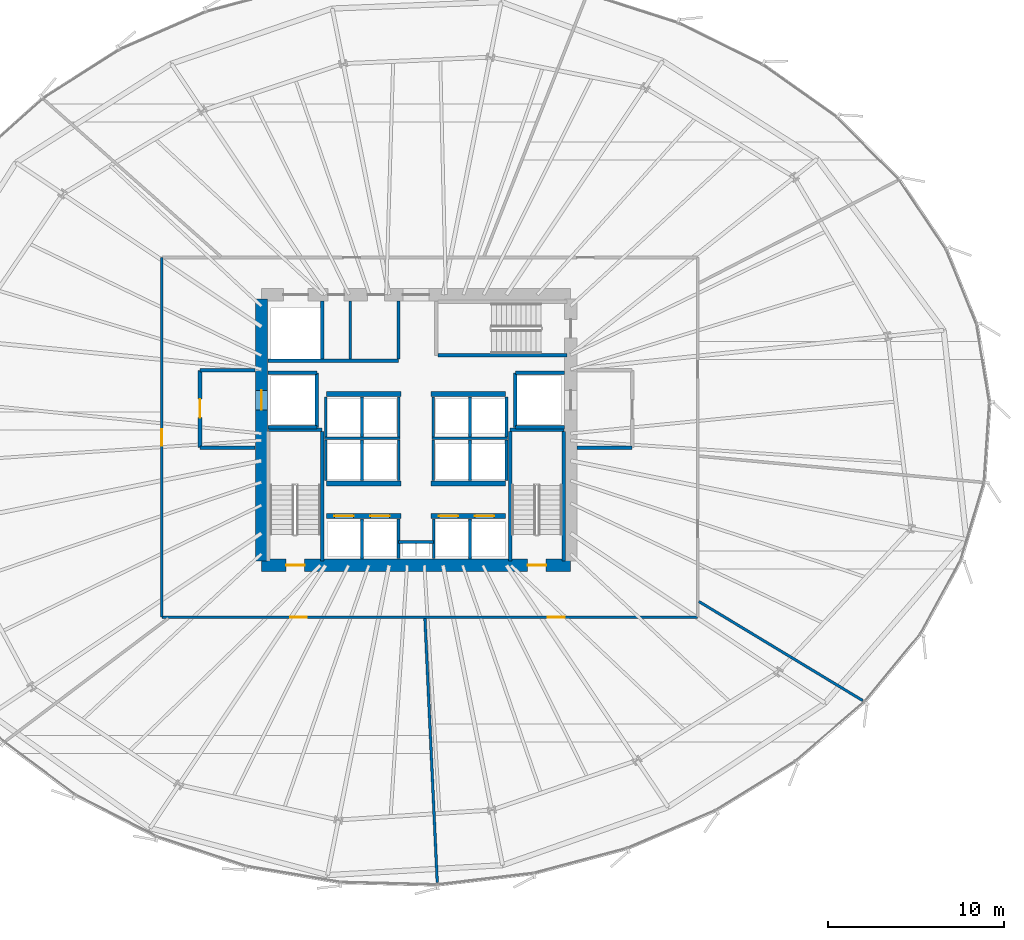
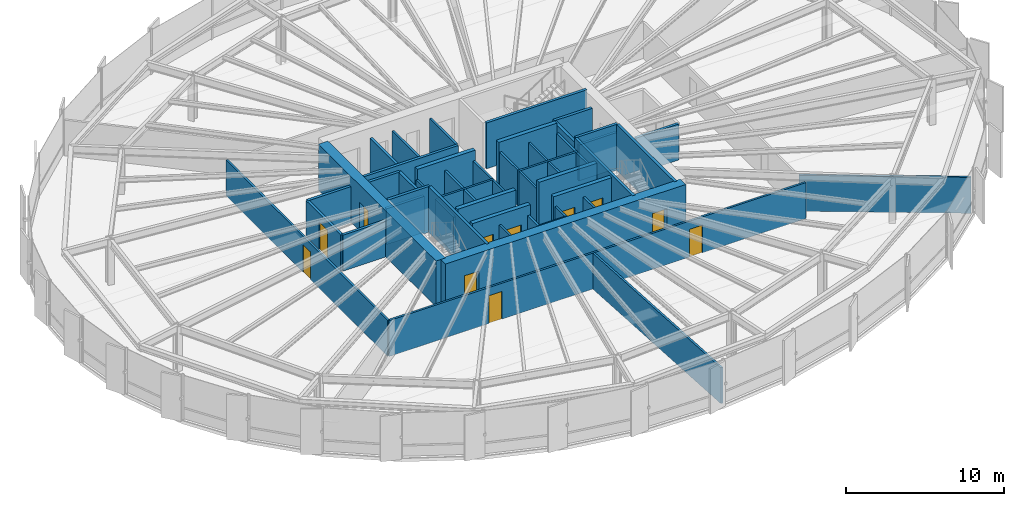
# One storey, part 30 of 39: 51 walls, 11 doors, 11 openings.
"""IFC4 building model written with IfcOpenShell, lengths in metres."""

from ifc_helpers import new_model, si_unit, direction, frame, frame_2d, origin, place, context, subcontext, project, spatial, rectangle, extrude, source, transform, mapped, material, layer, layer_set, type_object, element, fill, save


model = new_model("IFC4")

# Units and contexts
model_context = context("Model", 3, precision=1e-05, world=origin(), true_north=direction((0.0, 1.0)))
body_context = subcontext(model_context, "Body", "Model", "MODEL_VIEW")
ifc_project = project(units=[si_unit("LENGTHUNIT", "METRE"), si_unit("AREAUNIT", "SQUARE_METRE"), si_unit("VOLUMEUNIT", "CUBIC_METRE"), si_unit("PLANEANGLEUNIT", "RADIAN"), si_unit("MASSUNIT", "GRAM", prefix="KILO"), si_unit("THERMODYNAMICTEMPERATUREUNIT", "KELVIN")], contexts=[model_context])

# Site, building, storey
site_placement = place(None, origin())
site = spatial("IfcSite", under=ifc_project, at=site_placement, CompositionType="ELEMENT")
building_placement = place(site_placement, origin())
building = spatial("IfcBuilding", under=site, at=building_placement, Name="Kethvar Cultural Tower", CompositionType="ELEMENT")
storey_placement = place(building_placement, frame((0.0, 0.0, 41.0)))
storey = spatial("IfcBuildingStorey", under=building, at=storey_placement, Name="L09", CompositionType="ELEMENT", Elevation=41.0)

# Wall, openings, doors
ifc_material_1 = material(Name="Concrete C60/75", Category="concrete")
ifc_layer_1 = layer(ifc_material_1, 0.699951171875, Name="Concrete C60/75", Category="concrete")
ifc_layer_set_1 = layer_set([ifc_layer_1], Name="Concrete C60/75 (700 mm)")
wall_type_1 = type_object("IfcWallType", Name="WL-CORE-700", PredefinedType="SHEAR", material=ifc_layer_set_1)
wall_1_placement = place(storey_placement, frame((38.0, 20.10009765625, 0.0), z_axis=(0.0, 0.0, 1.0), x_axis=(1.0, 0.0, 0.0)))
wall_1 = element("IfcWall", 1, at=wall_1_placement, inside=storey, type_object=wall_type_1, Name="L09 Core Shear Wall S", PredefinedType="SHEAR", context=body_context, shape_type="SweptSolid", body=[
    extrude(rectangle(XDim=17.60009765625, YDim=0.699951171875, at=frame_2d((8.800048828125, 0.0))), origin(), (0.0, 0.0, 1.0), 3.550048828125),
])
opening_1_placement = place(wall_1_placement, frame((1.39990234375, 0.0, 0.0)))
opening_1 = element("IfcOpeningElement", 2, at=opening_1_placement, cuts=wall_1, Name="Opening D-L09-S1", PredefinedType="OPENING", context=body_context, shape_type="SweptSolid", body=[
    extrude(rectangle(XDim=1.050048828125, YDim=2.14990234375, at=frame_2d((0.52490234375, 1.074951171875))), frame((0.0, 0.35986328125, 0.0), z_axis=(0.0, -1.0, 0.0), x_axis=(1.0, 0.0, 0.0)), (0.0, 0.0, 1.0), 0.719970703125),
])
opening_2_placement = place(wall_1_placement, frame((15.14990234375, 0.0, 0.0)))
opening_2 = element("IfcOpeningElement", 3, at=opening_2_placement, cuts=wall_1, Name="Opening D-L09-ST2", PredefinedType="OPENING", context=body_context, shape_type="SweptSolid", body=[
    extrude(rectangle(XDim=1.050048828125, YDim=2.14990234375, at=frame_2d((0.52490234375, 1.074951171875))), frame((0.0, 0.35986328125, 0.0), z_axis=(0.0, -1.0, 0.0), x_axis=(1.0, 0.0, 0.0)), (0.0, 0.0, 1.0), 0.719970703125),
])
ifc_material_2 = material(Name="Steel S355J2", Category="steel")
door_type_1 = type_object("IfcDoorType", Name="DR-FD60-1050", OperationType="NOTDEFINED", PredefinedType="DOOR", material=ifc_material_2)
shared_shape_1 = source(origin(), body_context, "Body", "SweptSolid", [
    extrude(rectangle(XDim=1.050048828125, YDim=2.14990234375, at=frame_2d((0.52490234375, 1.074951171875))), frame((0.0, 0.02490234375, 0.0), z_axis=(0.0, -1.0, 0.0), x_axis=(1.0, 0.0, 0.0)), (0.0, 0.0, 1.0), 0.050048828125),
])
door_1_placement = place(opening_1_placement, origin())
door_1 = element("IfcDoor", 4, at=door_1_placement, inside=storey, type_object=door_type_1, Name="L09 Exit Stair 1 Door", OperationType="SINGLE_SWING_LEFT", OverallHeight=2.14990234375, OverallWidth=1.050048828125, PredefinedType="DOOR", context=body_context, shape_type="MappedRepresentation", body=[
    mapped(shared_shape_1, transform((0.0, 0.0, 0.0), scale=1.0)),
])
fill(opening_1, door_1)
door_2_placement = place(opening_2_placement, origin())
door_2 = element("IfcDoor", 5, at=door_2_placement, inside=storey, type_object=door_type_1, Name="L09 Exit Stair 2 Door", OperationType="SINGLE_SWING_RIGHT", OverallHeight=2.14990234375, OverallWidth=1.050048828125, PredefinedType="DOOR", context=body_context, shape_type="MappedRepresentation", body=[
    mapped(shared_shape_1, transform((0.0, 0.0, 0.0), scale=1.0)),
])
fill(opening_2, door_2)

# Wall, opening, door
wall_2_placement = place(storey_placement, frame((38.0, 35.260009765625, 0.0), z_axis=(0.0, 0.0, 1.0), x_axis=(0.0, -1.0, 0.0)))
wall_2 = element("IfcWall", 6, at=wall_2_placement, inside=storey, type_object=wall_type_1, Name="L09 Core Shear Wall W", PredefinedType="SHEAR", context=body_context, shape_type="SweptSolid", body=[
    extrude(rectangle(XDim=14.919921875, YDim=0.699951171875, at=frame_2d((7.4599609375, 0.0))), origin(), (0.0, 0.0, 1.0), 3.550048828125),
])
opening_3_placement = place(wall_2_placement, frame((5.2099609375, 0.0, 0.0)))
opening_3 = element("IfcOpeningElement", 7, at=opening_3_placement, cuts=wall_2, Name="Opening LD-1", PredefinedType="OPENING", context=body_context, shape_type="SweptSolid", body=[
    extrude(rectangle(XDim=1.10009765625, YDim=2.199951171875, at=frame_2d((0.550048828125, 1.10009765625))), frame((0.0, 0.35986328125, 0.0), z_axis=(0.0, -1.0, 0.0), x_axis=(1.0, 0.0, 0.0)), (0.0, 0.0, 1.0), 0.719970703125),
])
door_type_2 = type_object("IfcDoorType", Name="DR-LIFT-SLIDE-1100", OperationType="NOTDEFINED", PredefinedType="DOOR", material=ifc_material_2)
shared_shape_2 = source(origin(), body_context, "Body", "SweptSolid", [
    extrude(rectangle(XDim=1.10009765625, YDim=2.199951171875, at=frame_2d((0.550048828125, 1.10009765625))), frame((0.0, 0.02490234375, 0.0), z_axis=(0.0, -1.0, 0.0), x_axis=(1.0, 0.0, 0.0)), (0.0, 0.0, 1.0), 0.050048828125),
])
door_3_placement = place(opening_3_placement, origin())
door_3 = element("IfcDoor", 8, at=door_3_placement, inside=storey, type_object=door_type_2, Name="L09 Firefighting Lift Landing Door FFL-01", OperationType="SLIDING_TO_LEFT", OverallHeight=2.199951171875, OverallWidth=1.10009765625, PredefinedType="DOOR", context=body_context, shape_type="MappedRepresentation", body=[
    mapped(shared_shape_2, transform((0.0, 0.0, 0.0), scale=1.0)),
])
fill(opening_3, door_3)

# Walls
ifc_material_3 = material(Name="Gypsum Fireboard Partition")
ifc_layer_2 = layer(ifc_material_3, 0.14990234375, Name="Gypsum Fireboard Partition")
ifc_layer_set_2 = layer_set([ifc_layer_2], Name="Gypsum Fireboard Partition (150 mm)")
wall_type_2 = type_object("IfcWallType", Name="WL-FIRE-150", PredefinedType="PARTITIONING", material=ifc_layer_set_2)
wall_3_placement = place(storey_placement, frame((45.800048828125, 21.419921875, 0.0), z_axis=(0.0, 0.0, 1.0), x_axis=(1.0, 0.0, 0.0)))
element("IfcWall", 9, at=wall_3_placement, inside=storey, type_object=wall_type_2, Name="L09 Core Riser Wall", PredefinedType="PARTITIONING", context=body_context, shape_type="SweptSolid", body=[
    extrude(rectangle(XDim=2.0, YDim=0.14990234375, at=frame_2d((1.0, 0.0))), origin(), (0.0, 0.0, 1.0), 2.784912109375),
])
for number, where, z_axis, x_axis, name in (
    (10, (45.800048828125, 20.47998046875, 0.0), (0.0, 0.0, 1.0), (0.0, 1.0, 0.0), "L09 Core Riser West Wall"),
    (11, (47.800048828125, 20.47998046875, 0.0), (0.0, 0.0, 1.0), (0.0, 1.0, 0.0), "L09 Core Riser East Wall"),
):
    element("IfcWall", number, at=place(storey_placement, frame(where, z_axis=z_axis, x_axis=x_axis)), inside=storey, type_object=wall_type_2, Name=name, PredefinedType="PARTITIONING", context=body_context, shape_type="SweptSolid", body=[
        extrude(rectangle(XDim=2.239990234375, YDim=0.14990234375, at=frame_2d((1.1201171875, 0.0))), origin(), (0.0, 0.0, 1.0), 2.784912109375),
    ])
for number, where, z_axis, x_axis, name in (
    (12, (43.72509765625, 20.4599609375, 0.0), (0.0, 0.0, 1.0), (0.0, 1.0, 0.0), "L09 Low-Rise Lift Shaft Divider W"),
    (13, (49.875, 20.4599609375, 0.0), (0.0, 0.0, 1.0), (0.0, 1.0, 0.0), "L09 Low-Rise Lift Shaft Divider E"),
):
    element("IfcWall", number, at=place(storey_placement, frame(where, z_axis=z_axis, x_axis=x_axis)), inside=storey, type_object=wall_type_2, Name=name, PredefinedType="PARTITIONING", context=body_context, shape_type="SweptSolid", body=[
        extrude(rectangle(XDim=2.27001953125, YDim=0.14990234375, at=frame_2d((1.135009765625, 0.0))), origin(), (0.0, 0.0, 1.0), 2.784912109375),
    ])
wall_4_placement = place(storey_placement, frame((41.580078125, 27.324951171875, 0.0), z_axis=(0.0, 0.0, 1.0), x_axis=(1.0, 0.0, 0.0)))
element("IfcWall", 14, at=wall_4_placement, inside=storey, type_object=wall_type_2, Name="L09 Mid-High Lift Shaft Back Wall W", PredefinedType="PARTITIONING", context=body_context, shape_type="SweptSolid", body=[
    extrude(rectangle(XDim=4.31982421875, YDim=0.14990234375, at=frame_2d((2.159912109375, 0.0))), origin(), (0.0, 0.0, 1.0), 2.784912109375),
])
wall_5_placement = place(storey_placement, frame((47.699951171875, 27.324951171875, 0.0), z_axis=(0.0, 0.0, 1.0), x_axis=(1.0, 0.0, 0.0)))
element("IfcWall", 15, at=wall_5_placement, inside=storey, type_object=wall_type_2, Name="L09 Mid-High Lift Shaft Back Wall E", PredefinedType="PARTITIONING", context=body_context, shape_type="SweptSolid", body=[
    extrude(rectangle(XDim=4.320068359375, YDim=0.14990234375, at=frame_2d((2.16015625, 0.0))), origin(), (0.0, 0.0, 1.0), 2.784912109375),
])
for number, where, z_axis, x_axis, name in (
    (16, (41.64990234375, 24.919921875, 0.0), (0.0, 0.0, 1.0), (0.0, 1.0, 0.0), "L09 Mid-Rise Lift Shaft Outer Wall W"),
    (17, (43.72509765625, 24.919921875, 0.0), (0.0, 0.0, 1.0), (0.0, 1.0, 0.0), "L09 Mid-Rise Lift Shaft Divider W"),
    (18, (45.824951171875, 24.919921875, 0.0), (0.0, 0.0, 1.0), (0.0, 1.0, 0.0), "L09 Mid-Rise Lift Shaft Concourse Wall W"),
    (19, (47.77490234375, 24.919921875, 0.0), (0.0, 0.0, 1.0), (0.0, 1.0, 0.0), "L09 Mid-Rise Lift Shaft Concourse Wall E"),
    (20, (49.875, 24.919921875, 0.0), (0.0, 0.0, 1.0), (0.0, 1.0, 0.0), "L09 Mid-Rise Lift Shaft Divider E"),
    (21, (51.949951171875, 24.919921875, 0.0), (0.0, 0.0, 1.0), (0.0, 1.0, 0.0), "L09 Mid-Rise Lift Shaft Outer Wall E"),
):
    element("IfcWall", number, at=place(storey_placement, frame(where, z_axis=z_axis, x_axis=x_axis)), inside=storey, type_object=wall_type_2, Name=name, PredefinedType="PARTITIONING", context=body_context, shape_type="SweptSolid", body=[
        extrude(rectangle(XDim=2.320068359375, YDim=0.14990234375, at=frame_2d((1.16015625, 0.0))), origin(), (0.0, 0.0, 1.0), 2.784912109375),
    ])
for number, where, z_axis, x_axis, name in (
    (22, (41.64990234375, 27.409912109375, 0.0), (0.0, 0.0, 1.0), (0.0, 1.0, 0.0), "L09 High-Rise Lift Shaft Outer Wall W"),
    (23, (43.72509765625, 27.409912109375, 0.0), (0.0, 0.0, 1.0), (0.0, 1.0, 0.0), "L09 High-Rise Lift Shaft Divider W"),
    (24, (45.824951171875, 27.409912109375, 0.0), (0.0, 0.0, 1.0), (0.0, 1.0, 0.0), "L09 High-Rise Lift Shaft Concourse Wall W"),
    (25, (47.77490234375, 27.409912109375, 0.0), (0.0, 0.0, 1.0), (0.0, 1.0, 0.0), "L09 High-Rise Lift Shaft Concourse Wall E"),
    (26, (49.875, 27.409912109375, 0.0), (0.0, 0.0, 1.0), (0.0, 1.0, 0.0), "L09 High-Rise Lift Shaft Divider E"),
    (27, (51.949951171875, 27.409912109375, 0.0), (0.0, 0.0, 1.0), (0.0, 1.0, 0.0), "L09 High-Rise Lift Shaft Outer Wall E"),
):
    element("IfcWall", number, at=place(storey_placement, frame(where, z_axis=z_axis, x_axis=x_axis)), inside=storey, type_object=wall_type_2, Name=name, PredefinedType="PARTITIONING", context=body_context, shape_type="SweptSolid", body=[
        extrude(rectangle(XDim=2.27001953125, YDim=0.14990234375, at=frame_2d((1.135009765625, 0.0))), origin(), (0.0, 0.0, 1.0), 2.784912109375),
    ])
wall_6_placement = place(storey_placement, frame((45.800048828125, 31.85009765625, 0.0), z_axis=(0.0, 0.0, 1.0), x_axis=(0.0, 1.0, 0.0)))
element("IfcWall", 28, at=wall_6_placement, inside=storey, type_object=wall_type_2, Name="L09 Sanitary Spine Wall", PredefinedType="PARTITIONING", context=body_context, shape_type="SweptSolid", body=[
    extrude(rectangle(XDim=3.289794921875, YDim=0.14990234375, at=frame_2d((1.64501953125, 0.0))), origin(), (0.0, 0.0, 1.0), 2.784912109375),
])

# Wall, openings, doors
wall_7_placement = place(storey_placement, frame((32.330078125, 17.139892578125, 0.0), z_axis=(0.0, 0.0, 1.0), x_axis=(1.0, 0.0, 0.0)))
wall_7 = element("IfcWall", 29, at=wall_7_placement, inside=storey, type_object=wall_type_2, Name="L09 Corridor Rated Wall S", PredefinedType="PARTITIONING", context=body_context, shape_type="SweptSolid", body=[
    extrude(rectangle(XDim=30.5, YDim=0.14990234375, at=frame_2d((15.25, 0.0))), origin(), (0.0, 0.0, 1.0), 2.784912109375),
])
opening_4_placement = place(wall_7_placement, frame((7.301513671875, 0.0, 0.0)))
opening_4 = element("IfcOpeningElement", 30, at=opening_4_placement, cuts=wall_7, Name="Opening D-L09-01", PredefinedType="OPENING", context=body_context, shape_type="SweptSolid", body=[
    extrude(rectangle(XDim=0.949951171875, YDim=2.14990234375, at=frame_2d((0.47509765625, 1.074951171875))), frame((0.0, 0.0849609375, 0.0), z_axis=(0.0, -1.0, 0.0), x_axis=(1.0, 0.0, 0.0)), (0.0, 0.0, 1.0), 0.169921875),
])
opening_5_placement = place(wall_7_placement, frame((21.971435546875, 0.0, 0.0)))
opening_5 = element("IfcOpeningElement", 31, at=opening_5_placement, cuts=wall_7, Name="Opening D-L09-02", PredefinedType="OPENING", context=body_context, shape_type="SweptSolid", body=[
    extrude(rectangle(XDim=0.949951171875, YDim=2.14990234375, at=frame_2d((0.47509765625, 1.074951171875))), frame((0.0, 0.0849609375, 0.0), z_axis=(0.0, -1.0, 0.0), x_axis=(1.0, 0.0, 0.0)), (0.0, 0.0, 1.0), 0.169921875),
])
ifc_material_4 = material(Name="Architectural Oak Timber", Category="wood")
door_type_3 = type_object("IfcDoorType", Name="DR-FD30-950", OperationType="NOTDEFINED", PredefinedType="DOOR", material=ifc_material_4)
shared_shape_3 = source(origin(), body_context, "Body", "SweptSolid", [
    extrude(rectangle(XDim=0.949951171875, YDim=2.14990234375, at=frame_2d((0.47509765625, 1.074951171875))), frame((0.0, 0.02490234375, 0.0), z_axis=(0.0, -1.0, 0.0), x_axis=(1.0, 0.0, 0.0)), (0.0, 0.0, 1.0), 0.050048828125),
])
door_4_placement = place(opening_4_placement, origin())
door_4 = element("IfcDoor", 32, at=door_4_placement, inside=storey, type_object=door_type_3, Name="L09 Institutional Tenant Office 01 Door", OperationType="SINGLE_SWING_RIGHT", OverallHeight=2.14990234375, OverallWidth=0.949951171875, PredefinedType="DOOR", context=body_context, shape_type="MappedRepresentation", body=[
    mapped(shared_shape_3, transform((0.0, 0.0, 0.0), scale=1.0)),
])
fill(opening_4, door_4)
door_5_placement = place(opening_5_placement, origin())
door_5 = element("IfcDoor", 33, at=door_5_placement, inside=storey, type_object=door_type_3, Name="L09 Editorial Partner Office 02 Door", OperationType="SINGLE_SWING_LEFT", OverallHeight=2.14990234375, OverallWidth=0.949951171875, PredefinedType="DOOR", context=body_context, shape_type="MappedRepresentation", body=[
    mapped(shared_shape_3, transform((0.0, 0.0, 0.0), scale=1.0)),
])
fill(opening_5, door_5)

# Wall, opening, door
wall_8_placement = place(storey_placement, frame((32.330078125, 37.6201171875, 0.0), z_axis=(0.0, 0.0, 1.0), x_axis=(0.0, -1.0, 0.0)))
wall_8 = element("IfcWall", 34, at=wall_8_placement, inside=storey, type_object=wall_type_2, Name="L09 Corridor Rated Wall W", PredefinedType="PARTITIONING", context=body_context, shape_type="SweptSolid", body=[
    extrude(rectangle(XDim=20.480224609375, YDim=0.14990234375, at=frame_2d((10.240234375, 0.0))), origin(), (0.0, 0.0, 1.0), 2.784912109375),
])
opening_6_placement = place(wall_8_placement, frame((9.764892578125, 0.0, 0.0)))
opening_6 = element("IfcOpeningElement", 35, at=opening_6_placement, cuts=wall_8, Name="Opening D-L09-07", PredefinedType="OPENING", context=body_context, shape_type="SweptSolid", body=[
    extrude(rectangle(XDim=0.949951171875, YDim=2.14990234375, at=frame_2d((0.47509765625, 1.074951171875))), frame((0.0, 0.0849609375, 0.0), z_axis=(0.0, -1.0, 0.0), x_axis=(1.0, 0.0, 0.0)), (0.0, 0.0, 1.0), 0.169921875),
])
door_6_placement = place(opening_6_placement, origin())
door_6 = element("IfcDoor", 36, at=door_6_placement, inside=storey, type_object=door_type_3, Name="L09 Curatorial Concierge Foyer 07 Door", OperationType="SINGLE_SWING_RIGHT", OverallHeight=2.14990234375, OverallWidth=0.949951171875, PredefinedType="DOOR", context=body_context, shape_type="MappedRepresentation", body=[
    mapped(shared_shape_3, transform((0.0, 0.0, 0.0), scale=1.0)),
])
fill(opening_6, door_6)

# Walls
ifc_material_5 = material(Name="Concrete C40/50", Category="concrete")
ifc_layer_3 = layer(ifc_material_5, 0.199951171875, Name="Concrete C40/50", Category="concrete")
ifc_layer_set_3 = layer_set([ifc_layer_3], Name="Concrete C40/50 (200 mm)")
wall_type_3 = type_object("IfcWallType", Name="WL-FIRE-200", PredefinedType="PARTITIONING", material=ifc_layer_set_3)
wall_9_placement = place(storey_placement, frame((41.14990234375, 27.949951171875, 0.0), z_axis=(0.0, 0.0, 1.0), x_axis=(0.0, 1.0, 0.0)))
element("IfcWall", 37, at=wall_9_placement, inside=storey, type_object=wall_type_3, Name="L09 FFL-01 Shaft Inner Wall", PredefinedType="PARTITIONING", context=body_context, shape_type="SweptSolid", body=[
    extrude(rectangle(XDim=3.10009765625, YDim=0.199951171875, at=frame_2d((1.550048828125, 0.0))), origin(), (0.0, 0.0, 1.0), 2.784912109375),
])
for number, where, z_axis, x_axis, name in (
    (38, (38.360107421875, 27.949951171875, 0.0), (0.0, 0.0, 1.0), (1.0, 0.0, 0.0), "L09 FFL-01 Shaft South Wall"),
    (39, (38.360107421875, 31.050048828125, 0.0), (0.0, 0.0, 1.0), (1.0, 0.0, 0.0), "L09 FFL-01 Shaft North Wall"),
):
    element("IfcWall", number, at=place(storey_placement, frame(where, z_axis=z_axis, x_axis=x_axis)), inside=storey, type_object=wall_type_3, Name=name, PredefinedType="PARTITIONING", context=body_context, shape_type="SweptSolid", body=[
        extrude(rectangle(XDim=2.789794921875, YDim=0.199951171875, at=frame_2d((1.39501953125, 0.0))), origin(), (0.0, 0.0, 1.0), 2.784912109375),
    ])

# Wall, opening, door
wall_10_placement = place(storey_placement, frame((34.5, 31.199951171875, 0.0), z_axis=(0.0, 0.0, 1.0), x_axis=(0.0, -1.0, 0.0)))
wall_10 = element("IfcWall", 40, at=wall_10_placement, inside=storey, type_object=wall_type_3, Name="L09 Firefighting Lobby 1 Wall", PredefinedType="PARTITIONING", context=body_context, shape_type="SweptSolid", body=[
    extrude(rectangle(XDim=4.39990234375, YDim=0.199951171875, at=frame_2d((2.199951171875, 0.0))), origin(), (0.0, 0.0, 1.0), 2.784912109375),
])
opening_7_placement = place(wall_10_placement, frame((1.64990234375, 0.0, 0.0)))
opening_7 = element("IfcOpeningElement", 41, at=opening_7_placement, cuts=wall_10, Name="Opening D-L09-F1", PredefinedType="OPENING", context=body_context, shape_type="SweptSolid", body=[
    extrude(rectangle(XDim=1.050048828125, YDim=2.14990234375, at=frame_2d((0.52490234375, 1.074951171875))), frame((0.0, 0.10986328125, 0.0), z_axis=(0.0, -1.0, 0.0), x_axis=(1.0, 0.0, 0.0)), (0.0, 0.0, 1.0), 0.219970703125),
])
door_7_placement = place(opening_7_placement, origin())
door_7 = element("IfcDoor", 42, at=door_7_placement, inside=storey, type_object=door_type_1, Name="L09 Firefighting Lobby 1 Fire Door", OperationType="SINGLE_SWING_LEFT", OverallHeight=2.14990234375, OverallWidth=1.050048828125, PredefinedType="DOOR", context=body_context, shape_type="MappedRepresentation", body=[
    mapped(shared_shape_1, transform((0.0, 0.0, 0.0), scale=1.0)),
])
fill(opening_7, door_7)

# Walls
for number, where, z_axis, x_axis, name in (
    (43, (34.5, 26.800048828125, 0.0), (0.0, 0.0, 1.0), (1.0, 0.0, 0.0), "L09 FF Lobby 1 South Wall"),
    (44, (34.5, 31.199951171875, 0.0), (0.0, 0.0, 1.0), (1.0, 0.0, 0.0), "L09 FF Lobby 1 North Wall"),
):
    element("IfcWall", number, at=place(storey_placement, frame(where, z_axis=z_axis, x_axis=x_axis)), inside=storey, type_object=wall_type_3, Name=name, PredefinedType="PARTITIONING", context=body_context, shape_type="SweptSolid", body=[
        extrude(rectangle(XDim=3.139892578125, YDim=0.199951171875, at=frame_2d((1.56982421875, 0.0))), origin(), (0.0, 0.0, 1.0), 2.784912109375),
    ])
wall_11_placement = place(storey_placement, frame((52.449951171875, 27.949951171875, 0.0), z_axis=(0.0, 0.0, 1.0), x_axis=(0.0, 1.0, 0.0)))
element("IfcWall", 45, at=wall_11_placement, inside=storey, type_object=wall_type_3, Name="L09 FFL-02 Shaft Inner Wall", PredefinedType="PARTITIONING", context=body_context, shape_type="SweptSolid", body=[
    extrude(rectangle(XDim=3.10009765625, YDim=0.199951171875, at=frame_2d((1.550048828125, 0.0))), origin(), (0.0, 0.0, 1.0), 2.784912109375),
])
for number, where, z_axis, x_axis, name in (
    (46, (52.449951171875, 27.949951171875, 0.0), (0.0, 0.0, 1.0), (1.0, 0.0, 0.0), "L09 FFL-02 Shaft South Wall"),
    (47, (52.449951171875, 31.050048828125, 0.0), (0.0, 0.0, 1.0), (1.0, 0.0, 0.0), "L09 FFL-02 Shaft North Wall"),
):
    element("IfcWall", number, at=place(storey_placement, frame(where, z_axis=z_axis, x_axis=x_axis)), inside=storey, type_object=wall_type_3, Name=name, PredefinedType="PARTITIONING", context=body_context, shape_type="SweptSolid", body=[
        extrude(rectangle(XDim=2.7900390625, YDim=0.199951171875, at=frame_2d((1.39501953125, 0.0))), origin(), (0.0, 0.0, 1.0), 2.784912109375),
    ])
wall_12_placement = place(storey_placement, frame((55.9599609375, 26.800048828125, 0.0), z_axis=(0.0, 0.0, 1.0), x_axis=(1.0, 0.0, 0.0)))
element("IfcWall", 48, at=wall_12_placement, inside=storey, type_object=wall_type_3, Name="L09 FF Lobby 2 South Wall", PredefinedType="PARTITIONING", context=body_context, shape_type="SweptSolid", body=[
    extrude(rectangle(XDim=3.14013671875, YDim=0.199951171875, at=frame_2d((1.570068359375, 0.0))), origin(), (0.0, 0.0, 1.0), 2.784912109375),
])
wall_13_placement = place(storey_placement, frame((41.449951171875, 31.85009765625, 0.0), z_axis=(0.0, 0.0, 1.0), x_axis=(0.0, 1.0, 0.0)))
element("IfcWall", 49, at=wall_13_placement, inside=storey, type_object=wall_type_3, Name="L09 NW Core Pocket Wall", PredefinedType="PARTITIONING", context=body_context, shape_type="SweptSolid", body=[
    extrude(rectangle(XDim=3.289794921875, YDim=0.199951171875, at=frame_2d((1.64501953125, 0.0))), origin(), (0.0, 0.0, 1.0), 2.784912109375),
])
wall_14_placement = place(storey_placement, frame((38.360107421875, 31.72998046875, 0.0), z_axis=(0.0, 0.0, 1.0), x_axis=(1.0, 0.0, 0.0)))
element("IfcWall", 50, at=wall_14_placement, inside=storey, type_object=wall_type_3, Name="L09 North Core Sanitary South Wall", PredefinedType="PARTITIONING", context=body_context, shape_type="SweptSolid", body=[
    extrude(rectangle(XDim=7.43994140625, YDim=0.199951171875, at=frame_2d((3.719970703125, 0.0))), origin(), (0.0, 0.0, 1.0), 2.784912109375),
])
ifc_material_6 = material(Name="Gypsum Acoustic Partition")
ifc_layer_4 = layer(ifc_material_6, 0.14990234375, Name="Gypsum Acoustic Partition")
ifc_layer_set_4 = layer_set([ifc_layer_4], Name="Gypsum Acoustic Partition (150 mm)")
wall_type_4 = type_object("IfcWallType", Name="WL-PART-150", PredefinedType="PARTITIONING", material=ifc_layer_set_4)
wall_15_placement = place(storey_placement, frame((47.306396484375, 17.06005859375, 0.0), z_axis=(0.0, 0.0, 1.0), x_axis=(0.046548778798, -0.998916018088, 0.0)))
element("IfcWall", 51, at=wall_15_placement, inside=storey, type_object=wall_type_4, Name="L09 Radial Partition Wall 02", PredefinedType="PARTITIONING", context=body_context, shape_type="SweptSolid", body=[
    extrude(rectangle(XDim=15.042236328125, YDim=0.14990234375, at=frame_2d((7.52099609375, 0.0))), origin(), (0.0, 0.0, 1.0), 2.784912109375),
])
wall_16_placement = place(storey_placement, frame((62.8984375, 18.035888671875, 0.0), z_axis=(0.0, 0.0, 1.0), x_axis=(0.855815194925, -0.517281695148, 0.0)))
element("IfcWall", 52, at=wall_16_placement, inside=storey, type_object=wall_type_4, Name="L09 Radial Partition Wall 03", PredefinedType="PARTITIONING", context=body_context, shape_type="SweptSolid", body=[
    extrude(rectangle(XDim=10.90478515625, YDim=0.14990234375, at=frame_2d((5.452392578125, 0.0))), origin(), (0.0, 0.0, 1.0), 2.784912109375),
])
ifc_material_7 = material(Name="Moisture-Resistant Sanitary Chase Wall")
ifc_layer_5 = layer(ifc_material_7, 0.14990234375, Name="Moisture-Resistant Sanitary Chase Wall")
ifc_layer_set_5 = layer_set([ifc_layer_5], Name="Moisture-Resistant Sanitary Chase Wall (150 mm)")
wall_type_5 = type_object("IfcWallType", Name="WL-PLUMB-150", PredefinedType="PLUMBINGWALL", material=ifc_layer_set_5)
wall_17_placement = place(storey_placement, frame((43.050048828125, 31.85009765625, 0.0), z_axis=(0.0, 0.0, 1.0), x_axis=(0.0, 1.0, 0.0)))
element("IfcWall", 53, at=wall_17_placement, inside=storey, type_object=wall_type_5, Name="L09 Sanitary Plumbing Wall", PredefinedType="PLUMBINGWALL", context=body_context, shape_type="SweptSolid", body=[
    extrude(rectangle(XDim=3.289794921875, YDim=0.14990234375, at=frame_2d((1.64501953125, 0.0))), origin(), (0.0, 0.0, 1.0), 2.784912109375),
])

# Wall, openings, doors
ifc_material_8 = material(Name="Concrete C50/60", Category="concrete")
ifc_layer_6 = layer(ifc_material_8, 0.300048828125, Name="Concrete C50/60", Category="concrete")
ifc_layer_set_6 = layer_set([ifc_layer_6], Name="Concrete C50/60 (300 mm)")
wall_type_6 = type_object("IfcWallType", Name="WL-SHAFT-300", PredefinedType="SHEAR", material=ifc_layer_set_6)
wall_18_placement = place(storey_placement, frame((41.699951171875, 22.89990234375, 0.0), z_axis=(0.0, 0.0, 1.0), x_axis=(1.0, 0.0, 0.0)))
wall_18 = element("IfcWall", 54, at=wall_18_placement, inside=storey, type_object=wall_type_6, Name="L09 Core Lift Spine Wall MID1W", PredefinedType="SHEAR", context=body_context, shape_type="SweptSolid", body=[
    extrude(rectangle(XDim=4.25, YDim=0.300048828125, at=frame_2d((2.125, 0.0))), origin(), (0.0, 0.0, 1.0), 3.550048828125),
])
opening_8_placement = place(wall_18_placement, frame((0.449951171875, 0.0, 0.0)))
opening_8 = element("IfcOpeningElement", 55, at=opening_8_placement, cuts=wall_18, Name="Opening LD-L1", PredefinedType="OPENING", context=body_context, shape_type="SweptSolid", body=[
    extrude(rectangle(XDim=1.10009765625, YDim=2.199951171875, at=frame_2d((0.550048828125, 1.10009765625))), frame((0.0, 0.159912109375, 0.0), z_axis=(0.0, -1.0, 0.0), x_axis=(1.0, 0.0, 0.0)), (0.0, 0.0, 1.0), 0.320068359375),
])
opening_9_placement = place(wall_18_placement, frame((2.5, 0.0, 0.0)))
opening_9 = element("IfcOpeningElement", 56, at=opening_9_placement, cuts=wall_18, Name="Opening LD-L2", PredefinedType="OPENING", context=body_context, shape_type="SweptSolid", body=[
    extrude(rectangle(XDim=1.10009765625, YDim=2.199951171875, at=frame_2d((0.550048828125, 1.10009765625))), frame((0.0, 0.159912109375, 0.0), z_axis=(0.0, -1.0, 0.0), x_axis=(1.0, 0.0, 0.0)), (0.0, 0.0, 1.0), 0.320068359375),
])
door_8_placement = place(opening_8_placement, origin())
door_8 = element("IfcDoor", 57, at=door_8_placement, inside=storey, type_object=door_type_2, Name="L09 Low-Rise Lift Landing Door L1", OperationType="SLIDING_TO_LEFT", OverallHeight=2.199951171875, OverallWidth=1.10009765625, PredefinedType="DOOR", context=body_context, shape_type="MappedRepresentation", body=[
    mapped(shared_shape_2, transform((0.0, 0.0, 0.0), scale=1.0)),
])
fill(opening_8, door_8)
door_9_placement = place(opening_9_placement, origin())
door_9 = element("IfcDoor", 58, at=door_9_placement, inside=storey, type_object=door_type_2, Name="L09 Low-Rise Lift Landing Door L2", OperationType="SLIDING_TO_LEFT", OverallHeight=2.199951171875, OverallWidth=1.10009765625, PredefinedType="DOOR", context=body_context, shape_type="MappedRepresentation", body=[
    mapped(shared_shape_2, transform((0.0, 0.0, 0.0), scale=1.0)),
])
fill(opening_9, door_9)

wall_19_placement = place(storey_placement, frame((47.64990234375, 22.89990234375, 0.0), z_axis=(0.0, 0.0, 1.0), x_axis=(1.0, 0.0, 0.0)))
wall_19 = element("IfcWall", 59, at=wall_19_placement, inside=storey, type_object=wall_type_6, Name="L09 Core Lift Spine Wall MID1E", PredefinedType="SHEAR", context=body_context, shape_type="SweptSolid", body=[
    extrude(rectangle(XDim=4.25, YDim=0.300048828125, at=frame_2d((2.125, 0.0))), origin(), (0.0, 0.0, 1.0), 3.550048828125),
])
opening_10_placement = place(wall_19_placement, frame((0.449951171875, 0.0, 0.0)))
opening_10 = element("IfcOpeningElement", 60, at=opening_10_placement, cuts=wall_19, Name="Opening LD-L3", PredefinedType="OPENING", context=body_context, shape_type="SweptSolid", body=[
    extrude(rectangle(XDim=1.10009765625, YDim=2.199951171875, at=frame_2d((0.550048828125, 1.10009765625))), frame((0.0, 0.159912109375, 0.0), z_axis=(0.0, -1.0, 0.0), x_axis=(1.0, 0.0, 0.0)), (0.0, 0.0, 1.0), 0.320068359375),
])
opening_11_placement = place(wall_19_placement, frame((2.5, 0.0, 0.0)))
opening_11 = element("IfcOpeningElement", 61, at=opening_11_placement, cuts=wall_19, Name="Opening LD-L4", PredefinedType="OPENING", context=body_context, shape_type="SweptSolid", body=[
    extrude(rectangle(XDim=1.10009765625, YDim=2.199951171875, at=frame_2d((0.550048828125, 1.10009765625))), frame((0.0, 0.159912109375, 0.0), z_axis=(0.0, -1.0, 0.0), x_axis=(1.0, 0.0, 0.0)), (0.0, 0.0, 1.0), 0.320068359375),
])
door_10_placement = place(opening_10_placement, origin())
door_10 = element("IfcDoor", 62, at=door_10_placement, inside=storey, type_object=door_type_2, Name="L09 Low-Rise Lift Landing Door L3", OperationType="SLIDING_TO_LEFT", OverallHeight=2.199951171875, OverallWidth=1.10009765625, PredefinedType="DOOR", context=body_context, shape_type="MappedRepresentation", body=[
    mapped(shared_shape_2, transform((0.0, 0.0, 0.0), scale=1.0)),
])
fill(opening_10, door_10)
door_11_placement = place(opening_11_placement, origin())
door_11 = element("IfcDoor", 63, at=door_11_placement, inside=storey, type_object=door_type_2, Name="L09 Low-Rise Lift Landing Door L4", OperationType="SLIDING_TO_LEFT", OverallHeight=2.199951171875, OverallWidth=1.10009765625, PredefinedType="DOOR", context=body_context, shape_type="MappedRepresentation", body=[
    mapped(shared_shape_2, transform((0.0, 0.0, 0.0), scale=1.0)),
])
fill(opening_11, door_11)

# Walls
for number, where, z_axis, x_axis, name in (
    (64, (41.699951171875, 24.75, 0.0), (0.0, 0.0, 1.0), (1.0, 0.0, 0.0), "L09 Core Lift Spine Wall MID2W"),
    (65, (47.64990234375, 24.75, 0.0), (0.0, 0.0, 1.0), (1.0, 0.0, 0.0), "L09 Core Lift Spine Wall MID2E"),
    (66, (41.699951171875, 29.85009765625, 0.0), (0.0, 0.0, 1.0), (1.0, 0.0, 0.0), "L09 Core Lift Spine Wall MID3W"),
    (67, (47.64990234375, 29.85009765625, 0.0), (0.0, 0.0, 1.0), (1.0, 0.0, 0.0), "L09 Core Lift Spine Wall MID3E"),
):
    element("IfcWall", number, at=place(storey_placement, frame(where, z_axis=z_axis, x_axis=x_axis)), inside=storey, type_object=wall_type_6, Name=name, PredefinedType="SHEAR", context=body_context, shape_type="SweptSolid", body=[
        extrude(rectangle(XDim=4.25, YDim=0.300048828125, at=frame_2d((2.125, 0.0))), origin(), (0.0, 0.0, 1.0), 3.550048828125),
    ])
ifc_layer_7 = layer(ifc_material_8, 0.199951171875, Name="Concrete C50/60", Category="concrete")
ifc_layer_set_7 = layer_set([ifc_layer_7], Name="Concrete C50/60 (200 mm)")
wall_type_7 = type_object("IfcWallType", Name="WL-STSHAFT-200", PredefinedType="SHEAR", material=ifc_layer_set_7)
wall_20_placement = place(storey_placement, frame((38.389892578125, 27.800048828125, 0.0), z_axis=(0.0, 0.0, 1.0), x_axis=(1.0, 0.0, 0.0)))
element("IfcWall", 68, at=wall_20_placement, inside=storey, type_object=wall_type_7, Name="L09 ST-01 Stair Shaft Wall FAR", PredefinedType="SHEAR", context=body_context, shape_type="SweptSolid", body=[
    extrude(rectangle(XDim=3.06005859375, YDim=0.199951171875, at=frame_2d((1.530029296875, 0.0))), origin(), (0.0, 0.0, 1.0), 3.550048828125),
])
wall_21_placement = place(storey_placement, frame((41.449951171875, 27.699951171875, 0.0), z_axis=(0.0, 0.0, 1.0), x_axis=(0.0, -1.0, 0.0)))
element("IfcWall", 69, at=wall_21_placement, inside=storey, type_object=wall_type_7, Name="L09 ST-01 Stair Shaft Wall LEFT", PredefinedType="SHEAR", context=body_context, shape_type="SweptSolid", body=[
    extrude(rectangle(XDim=7.349853515625, YDim=0.199951171875, at=frame_2d((3.6748046875, 0.0))), origin(), (0.0, 0.0, 1.0), 3.550048828125),
])
wall_22_placement = place(storey_placement, frame((52.14990234375, 27.800048828125, 0.0), z_axis=(0.0, 0.0, 1.0), x_axis=(1.0, 0.0, 0.0)))
element("IfcWall", 70, at=wall_22_placement, inside=storey, type_object=wall_type_7, Name="L09 ST-02 Stair Shaft Wall FAR", PredefinedType="SHEAR", context=body_context, shape_type="SweptSolid", body=[
    extrude(rectangle(XDim=3.06005859375, YDim=0.199951171875, at=frame_2d((1.530029296875, 0.0))), origin(), (0.0, 0.0, 1.0), 3.550048828125),
])
for number, where, z_axis, x_axis, name in (
    (71, (55.2099609375, 27.699951171875, 0.0), (0.0, 0.0, 1.0), (0.0, -1.0, 0.0), "L09 ST-02 Stair Shaft Wall LEFT"),
    (72, (52.14990234375, 20.35009765625, 0.0), (0.0, 0.0, 1.0), (0.0, 1.0, 0.0), "L09 ST-02 Stair Shaft Wall RIGHT"),
    (73, (55.39990234375, 32.050048828125, 0.0), (0.0, 0.0, 1.0), (-1.0, 0.0, 0.0), "L09 ST-03 Stair Shaft Wall RIGHT"),
):
    element("IfcWall", number, at=place(storey_placement, frame(where, z_axis=z_axis, x_axis=x_axis)), inside=storey, type_object=wall_type_7, Name=name, PredefinedType="SHEAR", context=body_context, shape_type="SweptSolid", body=[
        extrude(rectangle(XDim=7.349853515625, YDim=0.199951171875, at=frame_2d((3.6748046875, 0.0))), origin(), (0.0, 0.0, 1.0), 3.550048828125),
    ])

save(model, "model.ifc")
